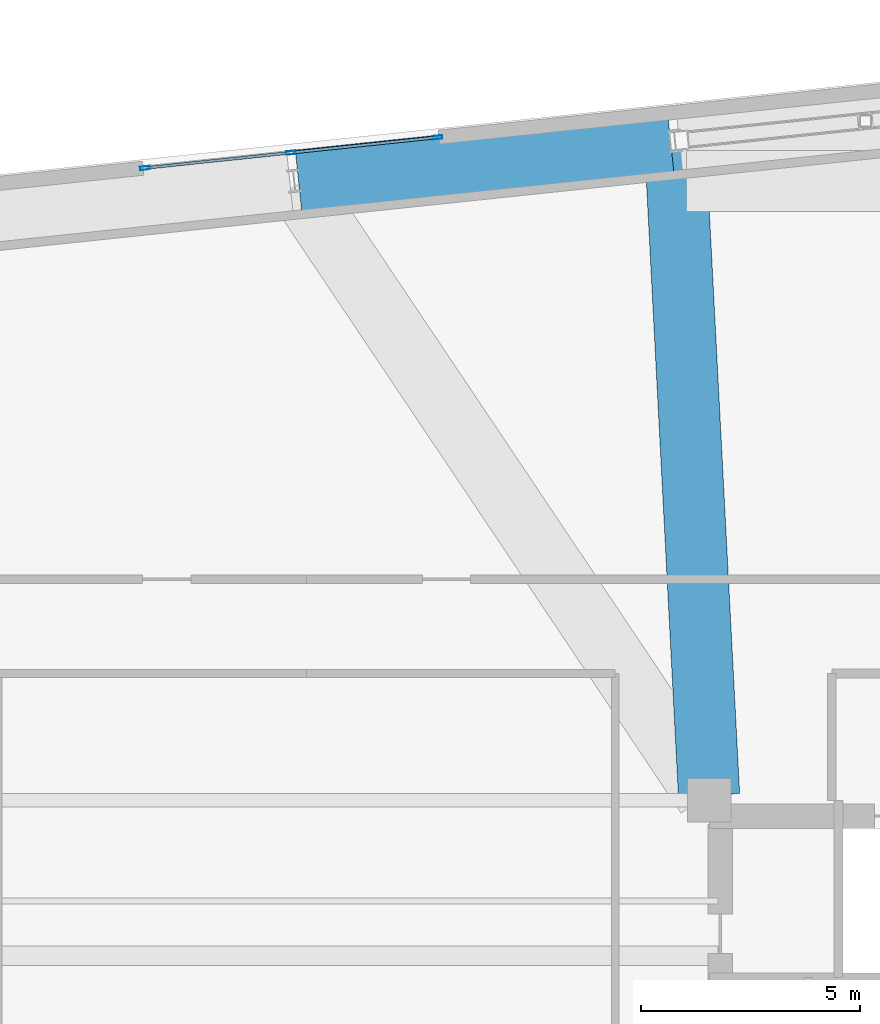
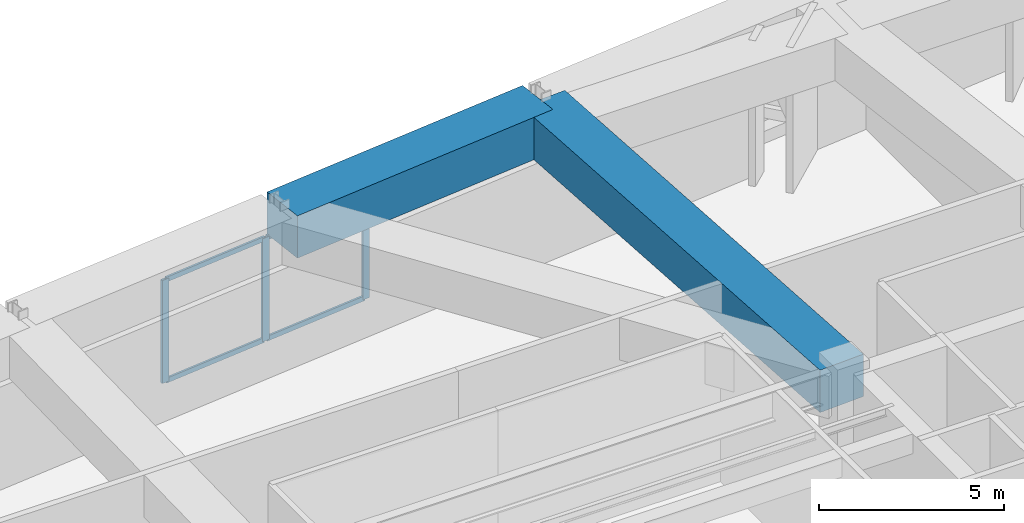
# One storey, part 14 of 23: 7 members, 2 beams, 1 element without a shape of its own.
"""IFC4 building model written with IfcOpenShell, lengths in metres."""

from ifc_helpers import new_model, si_unit, direction, frame, origin, origin_2d, place, context, subcontext, project, spatial, rectangle, hollow_rectangle, extrude, material, layer, layer_set, material_profile, profile_set, type_object, element, aggregate, save


model = new_model("IFC4")

# Units and contexts
model_context = context("Model", 3, precision=1e-05, world=origin(), true_north=direction((0.0, 1.0)))
body_context = subcontext(model_context, "Body", "Model", "MODEL_VIEW")
ifc_project = project(units=[si_unit("LENGTHUNIT", "METRE"), si_unit("AREAUNIT", "SQUARE_METRE"), si_unit("VOLUMEUNIT", "CUBIC_METRE"), si_unit("PLANEANGLEUNIT", "RADIAN"), si_unit("MASSUNIT", "GRAM", prefix="KILO")], contexts=[model_context])

# Site, building, storey
site_placement = place(None, origin())
site = spatial("IfcSite", under=ifc_project, at=site_placement, CompositionType="ELEMENT")
building_placement = place(site_placement, origin())
building = spatial("IfcBuilding", under=site, at=building_placement, Name="Qobustan Lattice House", CompositionType="ELEMENT")
storey_placement = place(building_placement, frame((0.0, 0.0, 125.89990234375)))
storey = spatial("IfcBuildingStorey", under=building, at=storey_placement, Name="L35", CompositionType="ELEMENT", Elevation=125.89990234375)

# Beams
ifc_material_1 = material(Name="Concrete C60/75", Category="concrete")
ifc_material_profile_1 = material_profile(ifc_material_1, rectangle(XDim=1.39990234375, YDim=1.39990234375, at=origin_2d()), Name="RC1400x1400")
ifc_profile_set_1 = profile_set([ifc_material_profile_1], Name="Concrete C60/75")
beam_type = type_object("IfcBeamType", Name="BM-TRG-RC1400", PredefinedType="USERDEFINED", material=ifc_profile_set_1)
beam_1_placement = place(storey_placement, frame((8.31591796875, 20.6552734375, 4.1201171875), z_axis=(-0.994523900076, -0.104509387989, 0.0), x_axis=(0.104509387989, -0.994523900076, 0.0)))
element("IfcBeam", 1, at=beam_1_placement, inside=storey, type_object=beam_type, Name="L35 TT2 lower perimeter transfer girder N3-N4", ObjectType="GIRDER", PredefinedType="USERDEFINED", context=body_context, shape_type="SweptSolid", body=[
    extrude(rectangle(XDim=1.39990234375, YDim=1.39990234375, at=origin_2d()), origin(), (0.0, 0.0, 1.0), 8.550048828125),
])
beam_2_placement = place(storey_placement, frame((9.19384765625, 5.7197265625, 4.1201171875), z_axis=(-0.052030600931, 0.998645490936, 0.0), x_axis=(-0.998645490936, -0.052030600931, 0.0)))
element("IfcBeam", 2, at=beam_2_placement, inside=storey, type_object=beam_type, Name="L35 TT2 radial transfer girder N3", ObjectType="GIRDER", PredefinedType="USERDEFINED", context=body_context, shape_type="SweptSolid", body=[
    extrude(rectangle(XDim=1.39990234375, YDim=1.39990234375, at=origin_2d()), origin(), (0.0, 0.0, 1.0), 14.84619140625),
])

# Curtain wall, members
ifc_material_2 = material(Name="Anodised aluminium and low-E glazing", Category="aluminium")
ifc_layer = layer(ifc_material_2, 0.219970703125)
ifc_layer_set = layer_set([ifc_layer], Name="Anodised aluminium and low-E glazing")
curtain_wall_type = type_object("IfcCurtainWallType", Name="CW-TRN-01", PredefinedType="USERDEFINED", material=ifc_layer_set)
curtain_wall_placement = place(storey_placement, origin())
curtain_wall = element("IfcCurtainWall", 3, at=curtain_wall_placement, inside=storey, type_object=curtain_wall_type, Name="L35 N transfer sky-lobby curtain wall", ObjectType="CURTAIN WALL", PredefinedType="USERDEFINED")
ifc_material_3 = material(Name="Anodised aluminium EN AW-6063 T6", Category="aluminium")
ifc_material_profile_2 = material_profile(ifc_material_3, hollow_rectangle(XDim=0.080078125, YDim=0.219970703125, WallThickness=0.0048828125, at=origin_2d()), Name="CWM-220x80")
ifc_profile_set_2 = profile_set([ifc_material_profile_2], Name="Anodised aluminium EN AW-6063 T6")
member_type_1 = type_object("IfcMemberType", Name="CWM-MAIN-220", PredefinedType="MULLION", material=ifc_profile_set_2)
member_1_placement = place(storey_placement, frame((-3.6962890625, 20.04638671875, 0.0), z_axis=(0.0, 0.0, 1.0), x_axis=(-0.104544694075, 0.994520189308, 0.0)))
member_1 = element("IfcMember", 4, at=member_1_placement, type_object=member_type_1, Name="CW-TR mullion 1", PredefinedType="MULLION", context=body_context, shape_type="SweptSolid", body=[
    extrude(hollow_rectangle(XDim=0.080078125, YDim=0.219970703125, WallThickness=0.0048828125, at=origin_2d()), origin(), (0.0, 0.0, 1.0), 3.405029296875),
])
member_2_placement = place(storey_placement, frame((-0.354736328125, 20.3974609375, 0.0), z_axis=(0.0, 0.0, 1.0), x_axis=(-0.104544694075, 0.994520189308, 0.0)))
member_2 = element("IfcMember", 5, at=member_2_placement, type_object=member_type_1, Name="CW-TR mullion 2", PredefinedType="MULLION", context=body_context, shape_type="SweptSolid", body=[
    extrude(hollow_rectangle(XDim=0.080078125, YDim=0.219970703125, WallThickness=0.0048828125, at=origin_2d()), origin(), (0.0, 0.0, 1.0), 3.405029296875),
])
member_3_placement = place(storey_placement, frame((2.98681640625, 20.748779296875, 0.0), z_axis=(0.0, 0.0, 1.0), x_axis=(-0.104544694075, 0.994520189308, 0.0)))
member_3 = element("IfcMember", 6, at=member_3_placement, type_object=member_type_1, Name="CW-TR mullion 3", PredefinedType="MULLION", context=body_context, shape_type="SweptSolid", body=[
    extrude(hollow_rectangle(XDim=0.080078125, YDim=0.219970703125, WallThickness=0.0048828125, at=origin_2d()), origin(), (0.0, 0.0, 1.0), 3.405029296875),
])
ifc_material_4 = material(Name="Anodised aluminium EN AW-6063 T6", Category="aluminium")
ifc_material_profile_3 = material_profile(ifc_material_4, hollow_rectangle(XDim=0.06494140625, YDim=0.159912109375, WallThickness=0.00390625, at=origin_2d()), Name="CWT-160x65")
ifc_profile_set_3 = profile_set([ifc_material_profile_3], Name="Anodised aluminium EN AW-6063 T6")
member_type_2 = type_object("IfcMemberType", Name="CWT-HOR-160", PredefinedType="USERDEFINED", material=ifc_profile_set_3)
member_4_placement = place(storey_placement, frame((-3.656494140625, 20.050537109375, 0.03271484375), z_axis=(0.994524198614, 0.104506547029, 0.0), x_axis=(-0.104506547029, 0.994524198614, 0.0)))
member_4 = element("IfcMember", 7, at=member_4_placement, type_object=member_type_2, Name="CW-TR transom 1.1", ObjectType="TRANSOM", PredefinedType="USERDEFINED", context=body_context, shape_type="SweptSolid", body=[
    extrude(hollow_rectangle(XDim=0.06494140625, YDim=0.159912109375, WallThickness=0.00390625, at=origin_2d()), origin(), (0.0, 0.0, 1.0), 3.280029296875),
])
member_5_placement = place(storey_placement, frame((-3.656494140625, 20.050537109375, 3.37255859375), z_axis=(0.994524198614, 0.104506547029, 0.0), x_axis=(-0.104506547029, 0.994524198614, 0.0)))
member_5 = element("IfcMember", 8, at=member_5_placement, type_object=member_type_2, Name="CW-TR transom 1.2", ObjectType="TRANSOM", PredefinedType="USERDEFINED", context=body_context, shape_type="SweptSolid", body=[
    extrude(hollow_rectangle(XDim=0.06494140625, YDim=0.159912109375, WallThickness=0.00390625, at=origin_2d()), origin(), (0.0, 0.0, 1.0), 3.280029296875),
])
member_6_placement = place(storey_placement, frame((-0.31494140625, 20.401611328125, 0.03271484375), z_axis=(0.994516459614, 0.104580168083, 0.0), x_axis=(-0.104580168083, 0.994516459614, 0.0)))
member_6 = element("IfcMember", 9, at=member_6_placement, type_object=member_type_2, Name="CW-TR transom 2.1", ObjectType="TRANSOM", PredefinedType="USERDEFINED", context=body_context, shape_type="SweptSolid", body=[
    extrude(hollow_rectangle(XDim=0.06494140625, YDim=0.159912109375, WallThickness=0.00390625, at=origin_2d()), origin(), (0.0, 0.0, 1.0), 3.280029296875),
])
member_7_placement = place(storey_placement, frame((-0.31494140625, 20.401611328125, 3.37255859375), z_axis=(0.994516459614, 0.104580168083, 0.0), x_axis=(-0.104580168083, 0.994516459614, 0.0)))
member_7 = element("IfcMember", 10, at=member_7_placement, type_object=member_type_2, Name="CW-TR transom 2.2", ObjectType="TRANSOM", PredefinedType="USERDEFINED", context=body_context, shape_type="SweptSolid", body=[
    extrude(hollow_rectangle(XDim=0.06494140625, YDim=0.159912109375, WallThickness=0.00390625, at=origin_2d()), origin(), (0.0, 0.0, 1.0), 3.280029296875),
])
aggregate(curtain_wall, [member_1, member_2, member_3, member_4, member_5, member_6, member_7])

save(model, "model.ifc")
